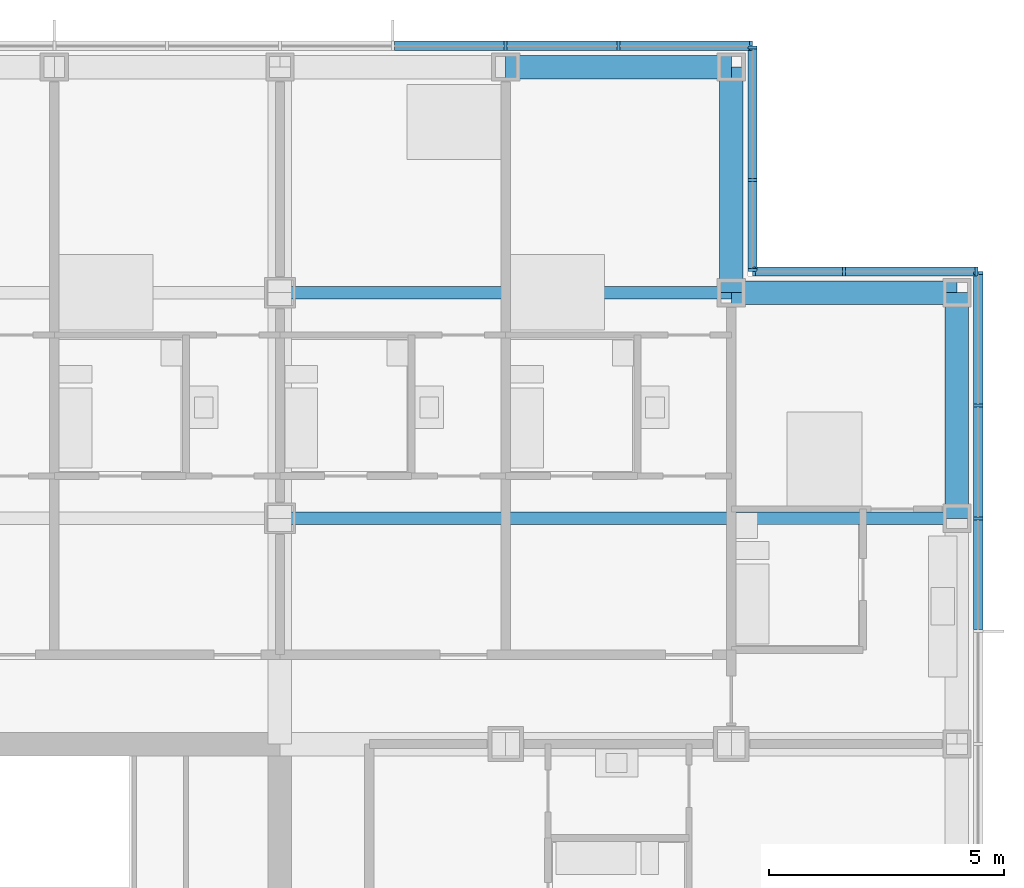
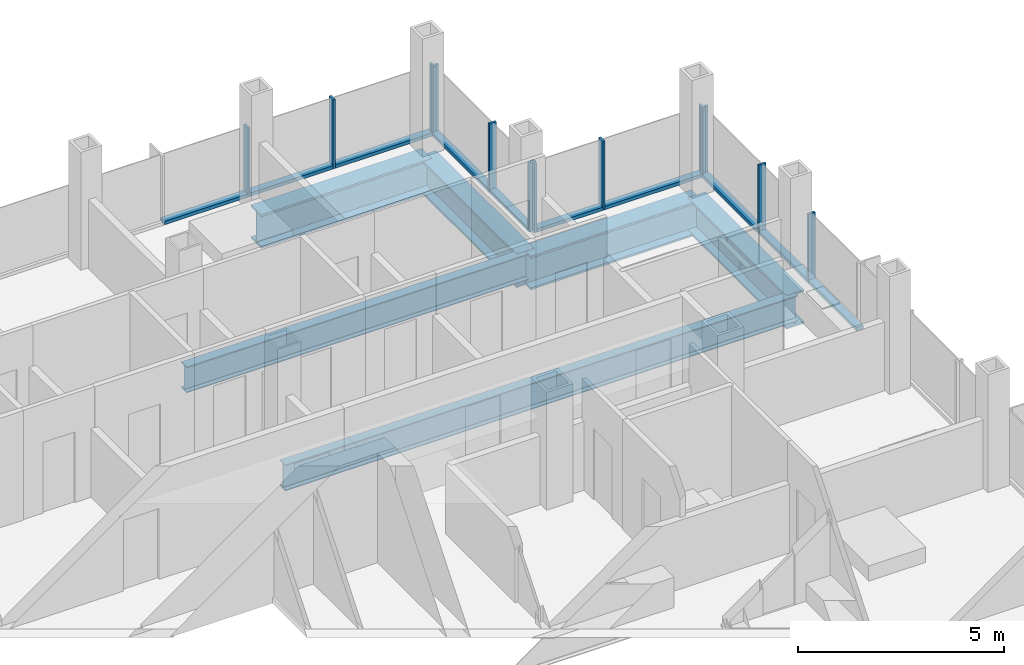
# One storey, part 11 of 22: 22 members, 6 beams, 4 elements without a shape of their own.
"""IFC4 building model written with IfcOpenShell, lengths in metres."""

import ifcopenshell
import ifcopenshell.guid

model = None  # the IFC model being written
_history = None  # IfcOwnerHistory: only IFC2X3 demands one
_inside = {}  # id of a spatial element -> (the spatial element, [elements in it])
_under = {}  # id of a project, library or spatial element -> (it, [spatial elements below it])
_declared = {}  # id of a project -> (the project, [libraries it declares])
_typed = {}  # id of a type object -> (the type object, [elements of that type])
_made_of = {}  # id of a material, layer set ... -> (it, [elements and type objects made of it])


def new_model(schema):
    """Start an empty IFC model of exactly this schema.

    Asked for "IFC4X3", IfcOpenShell would pick the latest addendum, in which some entities
    have other attributes; the version numbers below select the first issue.
    IFC2X3 requires an IfcOwnerHistory on every rooted entity: one is made here for all.
    """
    global model, _history
    if schema == "IFC4X3":
        model = ifcopenshell.file(schema_version=(4, 3, 0, 0))
    else:
        model = ifcopenshell.file(schema=schema)
    _inside.clear()
    _under.clear()
    _declared.clear()
    _typed.clear()
    _made_of.clear()
    _history = None
    if model.schema == "IFC2X3":
        org = make("IfcOrganization", Name="unknown")
        user = make(
            "IfcPersonAndOrganization",
            ThePerson=make("IfcPerson", FamilyName="unknown"),
            TheOrganization=org,
        )
        app = make(
            "IfcApplication",
            ApplicationDeveloper=org,
            Version="unknown",
            ApplicationFullName="unknown",
            ApplicationIdentifier="unknown",
        )
        _history = make(
            "IfcOwnerHistory",
            OwningUser=user,
            OwningApplication=app,
            ChangeAction="ADDED",
            CreationDate=0,
        )
    return model


def make(cls, **values):
    """One entity of the class cls with the attributes given. An attribute that is None is left unset."""
    return model.create_entity(
        cls, **{name: value for name, value in values.items() if value is not None}
    )


def rooted(cls, **values):
    """An entity with a GlobalId (a new one), such as an element, a storey or a relation."""
    return make(cls, GlobalId=ifcopenshell.guid.new(), OwnerHistory=_history, **values)


def si_unit(unit_type, name, prefix=None):
    """IfcSIUnit, for example si_unit("LENGTHUNIT", "METRE", prefix="MILLI")."""
    return make("IfcSIUnit", UnitType=unit_type, Prefix=prefix, Name=name)


def assignment(units):
    """IfcUnitAssignment: the units of a project."""
    return None if units is None else make("IfcUnitAssignment", Units=units)


def point(xyz):
    """IfcCartesianPoint."""
    return None if xyz is None else make("IfcCartesianPoint", Coordinates=xyz)


def direction(xyz):
    """IfcDirection."""
    return None if xyz is None else make("IfcDirection", DirectionRatios=xyz)


def frame(location, z_axis=None, x_axis=None):
    """IfcAxis2Placement3D, a coordinate frame: its origin and axes. An axis left out is left unset."""
    return make(
        "IfcAxis2Placement3D",
        Location=point(location),
        Axis=direction(z_axis),
        RefDirection=direction(x_axis),
    )


def frame_2d(location, x_axis=None):
    """IfcAxis2Placement2D, a coordinate frame in the plane: its origin and x axis."""
    return make(
        "IfcAxis2Placement2D", Location=point(location), RefDirection=direction(x_axis)
    )


def origin():
    """The frame at (0, 0, 0) with its axes left unset."""
    return frame((0.0, 0.0, 0.0))


def origin_2d():
    """The frame at (0, 0) in the plane with its x axis left unset."""
    return frame_2d((0.0, 0.0))


def place(relative_to, where):
    """IfcLocalPlacement: puts the frame where relative to a parent placement (None: the world)."""
    return make(
        "IfcLocalPlacement", PlacementRelTo=relative_to, RelativePlacement=where
    )


def context(
    kind, dimensions, precision=None, world=None, true_north=None, identifier=None
):
    """IfcGeometricRepresentationContext, for example the 3D "Model" context."""
    return make(
        "IfcGeometricRepresentationContext",
        ContextIdentifier=identifier,
        ContextType=kind,
        CoordinateSpaceDimension=dimensions,
        Precision=precision,
        WorldCoordinateSystem=world,
        TrueNorth=true_north,
    )


def subcontext(parent, identifier, kind, view, scale=None):
    """IfcGeometricRepresentationSubContext, for example "Body" below "Model"."""
    return make(
        "IfcGeometricRepresentationSubContext",
        ContextIdentifier=identifier,
        ContextType=kind,
        ParentContext=parent,
        TargetScale=scale,
        TargetView=view,
    )


def project(units=None, contexts=None):
    """IfcProject with its units and contexts."""
    return rooted(
        "IfcProject",
        Name="project",
        RepresentationContexts=contexts,
        UnitsInContext=assignment(units),
    )


def spatial(cls, under=None, at=None, **own):
    """A site, building, storey or space (cls), placed at a placement, below another one or the project."""
    s = rooted(cls, ObjectPlacement=at, **own)
    if under is not None:
        _under.setdefault(under.id(), (under, []))[1].append(s)
    return s


def profile(cls, at=None, kind="AREA", **sizes):
    """A parametric profile (cls). Its sizes go by their IFC names, for example OverallWidth=200.0."""
    return make(cls, ProfileType=kind, Position=at, **sizes)


def rectangle(**sizes):
    """IfcRectangleProfileDef."""
    return profile("IfcRectangleProfileDef", **sizes)


def i_section(**sizes):
    """IfcIShapeProfileDef."""
    return profile("IfcIShapeProfileDef", **sizes)


def extrude(swept, where, along, depth):
    """IfcExtrudedAreaSolid: the profile swept, set in the frame where, extruded along a direction by depth."""
    return make(
        "IfcExtrudedAreaSolid",
        SweptArea=swept,
        Position=where,
        ExtrudedDirection=direction(along),
        Depth=depth,
    )


def shape(context_of_items, identifier, shape_type, items):
    """IfcShapeRepresentation: the items that make up one representation, for example the "Body"."""
    return make(
        "IfcShapeRepresentation",
        ContextOfItems=context_of_items,
        RepresentationIdentifier=identifier,
        RepresentationType=shape_type,
        Items=items,
    )


def material(Name=None, Category=None):
    """IfcMaterial."""
    return make("IfcMaterial", Name=Name, Category=Category)


def material_profile(
    of_material, cross_section, Name=None, Category=None, Priority=None
):
    """IfcMaterialProfile: a cross section and its material."""
    return make(
        "IfcMaterialProfile",
        Name=Name,
        Material=of_material,
        Profile=cross_section,
        Priority=Priority,
        Category=Category,
    )


def profile_set(profiles, Name=None, composite=None):
    """IfcMaterialProfileSet."""
    return make(
        "IfcMaterialProfileSet",
        Name=Name,
        MaterialProfiles=profiles,
        CompositeProfile=composite,
    )


def made_of(thing, what):
    """Note that an element or type object is made of a material, layer set ...; save() writes the relation."""
    if what is not None:
        _made_of.setdefault(what.id(), (what, []))[1].append(thing)
    return thing


def type_object(cls, material=None, **own):
    """A type object (cls), such as IfcWallType, which elements share."""
    return made_of(rooted(cls, **own), material)


def element(
    cls,
    number,
    at=None,
    inside=None,
    cuts=None,
    type_object=None,
    material=None,
    context=None,
    identifier="Body",
    shape_type=None,
    held_by="IfcProductDefinitionShape",
    body=None,
    shapes=None,
    **own,
):
    """One element of the class cls, such as IfcWall. Its Tag is "e" and its number.

    at: its placement. inside: the storey or other place that contains it. cuts: it is an
    opening in that element (IfcRelVoidsElement). A single representation is given by context,
    identifier, shape_type and body (its items); several are given by shapes. held_by: the class
    of the entity that holds the representations. save() writes the other relations.
    """
    e = rooted(cls, Tag="e%d" % number, ObjectPlacement=at, **own)
    if body is not None:
        shapes = [shape(context, identifier, shape_type, body)]
    if shapes is not None:
        e.Representation = make(held_by, Representations=shapes)
    if inside is not None:
        _inside.setdefault(inside.id(), (inside, []))[1].append(e)
    if cuts is not None:
        rooted(
            "IfcRelVoidsElement", RelatingBuildingElement=cuts, RelatedOpeningElement=e
        )
    if type_object is not None:
        _typed.setdefault(type_object.id(), (type_object, []))[1].append(e)
    return made_of(e, material)


def aggregate(whole, parts):
    """IfcRelAggregates: a whole, such as a stair, and the parts it consists of."""
    return rooted("IfcRelAggregates", RelatingObject=whole, RelatedObjects=parts)


def save(model, path):
    """Write the relations noted so far, then the file.

    IfcRelAggregates (storeys below a building ...), IfcRelContainedInSpatialStructure (elements
    in a storey), IfcRelDefinesByType, IfcRelAssociatesMaterial and IfcRelDeclares: one each for
    every whole, place, type object, material and project.
    """
    for whole, parts in _under.values():
        aggregate(whole, parts)
    for where, things in _inside.values():
        rooted(
            "IfcRelContainedInSpatialStructure",
            RelatedElements=things,
            RelatingStructure=where,
        )
    for kind, things in _typed.values():
        rooted("IfcRelDefinesByType", RelatedObjects=things, RelatingType=kind)
    for what, things in _made_of.values():
        rooted("IfcRelAssociatesMaterial", RelatedObjects=things, RelatingMaterial=what)
    for by, libraries in _declared.values():
        rooted("IfcRelDeclares", RelatingContext=by, RelatedDefinitions=libraries)
    model.write(path)


model = new_model("IFC4")

# Units and contexts
model_context = context("Model", 3, precision=1e-05, world=origin(), true_north=direction((0.0, 1.0)))
body_context = subcontext(model_context, "Body", "Model", "MODEL_VIEW")
ifc_project = project(units=[si_unit("LENGTHUNIT", "METRE"), si_unit("AREAUNIT", "SQUARE_METRE"), si_unit("VOLUMEUNIT", "CUBIC_METRE"), si_unit("PLANEANGLEUNIT", "RADIAN"), si_unit("MASSUNIT", "GRAM", prefix="KILO")], contexts=[model_context])

# Site, building, storey
site_placement = place(None, origin())
site = spatial("IfcSite", under=ifc_project, at=site_placement, CompositionType="ELEMENT")
building_placement = place(site_placement, origin())
building = spatial("IfcBuilding", under=site, at=building_placement, Name="Kvirike Care Tower", CompositionType="ELEMENT")
storey_placement = place(building_placement, frame((0.0, 0.0, 76.0)))
storey = spatial("IfcBuildingStorey", under=building, at=storey_placement, Name="L20", CompositionType="ELEMENT", Elevation=76.0)

# Curtain wall, members
ifc_material_1 = material(Name="Anodised aluminium stick system", Category="aluminium")
curtain_wall_type = type_object("IfcCurtainWallType", Name="CW-A STICK CURTAIN WALL", PredefinedType="NOTDEFINED", material=ifc_material_1)
curtain_wall_1_placement = place(storey_placement, origin())
curtain_wall_1 = element("IfcCurtainWall", 1, at=curtain_wall_1_placement, inside=storey, type_object=curtain_wall_type, Name="Curtain wall L20 face 7", PredefinedType="NOTDEFINED")
ifc_material_2 = material(Name="Bronze anodised aluminium mullion", Category="aluminium")
ifc_material_profile_1 = material_profile(ifc_material_2, rectangle(XDim=0.06494140625, YDim=0.199951171875, at=origin_2d()), Name="CW-A MULLION 65x200")
ifc_profile_set_1 = profile_set([ifc_material_profile_1], Name="Bronze anodised aluminium mullion")
member_type_1 = type_object("IfcMemberType", Name="CW-A MULLION 65x200", PredefinedType="MULLION", material=ifc_profile_set_1)
member_1_placement = place(storey_placement, frame((43.64990234375, 48.0, 0.0), z_axis=(0.0, 0.0, 1.0), x_axis=(0.0, 1.0, 0.0)))
member_1 = element("IfcMember", 2, at=member_1_placement, type_object=member_type_1, Name="CW-A mullion L20 face 7.13", PredefinedType="MULLION", context=body_context, shape_type="SweptSolid", body=[
    extrude(rectangle(XDim=0.06494140625, YDim=0.199951171875, at=origin_2d()), origin(), (0.0, 0.0, 1.0), 2.050048828125),
])
member_2_placement = place(storey_placement, frame((43.64990234375, 50.39990234375, 0.0), z_axis=(0.0, 0.0, 1.0), x_axis=(0.0, 1.0, 0.0)))
member_2 = element("IfcMember", 3, at=member_2_placement, type_object=member_type_1, Name="CW-A mullion L20 face 7.14", PredefinedType="MULLION", context=body_context, shape_type="SweptSolid", body=[
    extrude(rectangle(XDim=0.06494140625, YDim=0.199951171875, at=origin_2d()), origin(), (0.0, 0.0, 1.0), 2.050048828125),
])
member_3_placement = place(storey_placement, frame((43.64990234375, 53.217529296875, 0.0), z_axis=(0.0, 0.0, 1.0), x_axis=(0.0, 1.0, 0.0)))
member_3 = element("IfcMember", 4, at=member_3_placement, type_object=member_type_1, Name="CW-A mullion L20 face 7.15", PredefinedType="MULLION", context=body_context, shape_type="SweptSolid", body=[
    extrude(rectangle(XDim=0.06494140625, YDim=0.199951171875, at=origin_2d()), origin(), (0.0, 0.0, 1.0), 2.050048828125),
])

curtain_wall_2_placement = place(storey_placement, origin())
curtain_wall_2 = element("IfcCurtainWall", 5, at=curtain_wall_2_placement, inside=storey, type_object=curtain_wall_type, Name="Curtain wall L20 face 8", PredefinedType="NOTDEFINED")
member_4_placement = place(storey_placement, frame((43.617431640625, 53.25, 0.0), z_axis=(0.0, 0.0, 1.0), x_axis=(-1.0, 0.0, 0.0)))
member_4 = element("IfcMember", 6, at=member_4_placement, type_object=member_type_1, Name="CW-A mullion L20 face 8.1", PredefinedType="MULLION", context=body_context, shape_type="SweptSolid", body=[
    extrude(rectangle(XDim=0.06494140625, YDim=0.199951171875, at=origin_2d()), origin(), (0.0, 0.0, 1.0), 2.050048828125),
])
member_5_placement = place(storey_placement, frame((40.800048828125, 53.25, 0.0), z_axis=(0.0, 0.0, 1.0), x_axis=(-1.0, 0.0, 0.0)))
member_5 = element("IfcMember", 7, at=member_5_placement, type_object=member_type_1, Name="CW-A mullion L20 face 8.2", PredefinedType="MULLION", context=body_context, shape_type="SweptSolid", body=[
    extrude(rectangle(XDim=0.06494140625, YDim=0.199951171875, at=origin_2d()), origin(), (0.0, 0.0, 1.0), 2.050048828125),
])
member_6_placement = place(storey_placement, frame((38.882568359375, 53.25, 0.0), z_axis=(0.0, 0.0, 1.0), x_axis=(-1.0, 0.0, 0.0)))
member_6 = element("IfcMember", 8, at=member_6_placement, type_object=member_type_1, Name="CW-A mullion L20 face 8.3", PredefinedType="MULLION", context=body_context, shape_type="SweptSolid", body=[
    extrude(rectangle(XDim=0.06494140625, YDim=0.199951171875, at=origin_2d()), origin(), (0.0, 0.0, 1.0), 2.050048828125),
])

curtain_wall_3_placement = place(storey_placement, origin())
curtain_wall_3 = element("IfcCurtainWall", 9, at=curtain_wall_3_placement, inside=storey, type_object=curtain_wall_type, Name="Curtain wall L20 face 9", PredefinedType="NOTDEFINED")
member_7_placement = place(storey_placement, frame((38.85009765625, 53.282470703125, 0.0), z_axis=(0.0, 0.0, 1.0), x_axis=(0.0, 1.0, 0.0)))
member_7 = element("IfcMember", 10, at=member_7_placement, type_object=member_type_1, Name="CW-A mullion L20 face 9.1", PredefinedType="MULLION", context=body_context, shape_type="SweptSolid", body=[
    extrude(rectangle(XDim=0.06494140625, YDim=0.199951171875, at=origin_2d()), origin(), (0.0, 0.0, 1.0), 2.050048828125),
])
member_8_placement = place(storey_placement, frame((38.85009765625, 55.199951171875, 0.0), z_axis=(0.0, 0.0, 1.0), x_axis=(0.0, 1.0, 0.0)))
member_8 = element("IfcMember", 11, at=member_8_placement, type_object=member_type_1, Name="CW-A mullion L20 face 9.2", PredefinedType="MULLION", context=body_context, shape_type="SweptSolid", body=[
    extrude(rectangle(XDim=0.06494140625, YDim=0.199951171875, at=origin_2d()), origin(), (0.0, 0.0, 1.0), 2.050048828125),
])
member_9_placement = place(storey_placement, frame((38.85009765625, 58.017578125, 0.0), z_axis=(0.0, 0.0, 1.0), x_axis=(0.0, 1.0, 0.0)))
member_9 = element("IfcMember", 12, at=member_9_placement, type_object=member_type_1, Name="CW-A mullion L20 face 9.3", PredefinedType="MULLION", context=body_context, shape_type="SweptSolid", body=[
    extrude(rectangle(XDim=0.06494140625, YDim=0.199951171875, at=origin_2d()), origin(), (0.0, 0.0, 1.0), 2.050048828125),
])

curtain_wall_4_placement = place(storey_placement, origin())
curtain_wall_4 = element("IfcCurtainWall", 13, at=curtain_wall_4_placement, inside=storey, type_object=curtain_wall_type, Name="Curtain wall L20 face 10", PredefinedType="NOTDEFINED")
member_10_placement = place(storey_placement, frame((38.8173828125, 58.050048828125, 0.0), z_axis=(0.0, 0.0, 1.0), x_axis=(-1.0, 0.0, 0.0)))
member_10 = element("IfcMember", 14, at=member_10_placement, type_object=member_type_1, Name="CW-A mullion L20 face 10.1", PredefinedType="MULLION", context=body_context, shape_type="SweptSolid", body=[
    extrude(rectangle(XDim=0.06494140625, YDim=0.199951171875, at=origin_2d()), origin(), (0.0, 0.0, 1.0), 2.050048828125),
])
member_11_placement = place(storey_placement, frame((36.0, 58.050048828125, 0.0), z_axis=(0.0, 0.0, 1.0), x_axis=(-1.0, 0.0, 0.0)))
member_11 = element("IfcMember", 15, at=member_11_placement, type_object=member_type_1, Name="CW-A mullion L20 face 10.2", PredefinedType="MULLION", context=body_context, shape_type="SweptSolid", body=[
    extrude(rectangle(XDim=0.06494140625, YDim=0.199951171875, at=origin_2d()), origin(), (0.0, 0.0, 1.0), 2.050048828125),
])
member_12_placement = place(storey_placement, frame((33.60009765625, 58.050048828125, 0.0), z_axis=(0.0, 0.0, 1.0), x_axis=(-1.0, 0.0, 0.0)))
member_12 = element("IfcMember", 16, at=member_12_placement, type_object=member_type_1, Name="CW-A mullion L20 face 10.3", PredefinedType="MULLION", context=body_context, shape_type="SweptSolid", body=[
    extrude(rectangle(XDim=0.06494140625, YDim=0.199951171875, at=origin_2d()), origin(), (0.0, 0.0, 1.0), 2.050048828125),
])

# Member
ifc_material_3 = material(Name="Bronze anodised aluminium transom", Category="aluminium")
ifc_material_profile_2 = material_profile(ifc_material_3, rectangle(XDim=0.199951171875, YDim=0.10009765625, at=origin_2d()), Name="CW-A TRANSOM 200x100")
ifc_profile_set_2 = profile_set([ifc_material_profile_2], Name="Bronze anodised aluminium transom")
member_type_2 = type_object("IfcMemberType", Name="CW-A TRANSOM 200x100", PredefinedType="USERDEFINED", material=ifc_profile_set_2)
member_13_placement = place(storey_placement, frame((43.64990234375, 45.632568359375, 0.050048828125), z_axis=(0.0, 1.0, 0.0), x_axis=(-1.0, 0.0, 0.0)))
member_13 = element("IfcMember", 17, at=member_13_placement, type_object=member_type_2, Name="CW-A sill transom L20 face 7.12", ObjectType="TRANSOM", PredefinedType="USERDEFINED", context=body_context, shape_type="SweptSolid", body=[
    extrude(rectangle(XDim=0.199951171875, YDim=0.10009765625, at=origin_2d()), origin(), (0.0, 0.0, 1.0), 2.3349609375),
])

member_14_placement = place(storey_placement, frame((43.64990234375, 48.032470703125, 0.050048828125), z_axis=(0.0, 1.0, 0.0), x_axis=(-1.0, 0.0, 0.0)))
member_14 = element("IfcMember", 18, at=member_14_placement, type_object=member_type_2, Name="CW-A sill transom L20 face 7.13", ObjectType="TRANSOM", PredefinedType="USERDEFINED", context=body_context, shape_type="SweptSolid", body=[
    extrude(rectangle(XDim=0.199951171875, YDim=0.10009765625, at=origin_2d()), origin(), (0.0, 0.0, 1.0), 2.3349609375),
])

member_15_placement = place(storey_placement, frame((43.64990234375, 50.4326171875, 0.050048828125), z_axis=(0.0, 1.0, 0.0), x_axis=(-1.0, 0.0, 0.0)))
member_15 = element("IfcMember", 19, at=member_15_placement, type_object=member_type_2, Name="CW-A sill transom L20 face 7.14", ObjectType="TRANSOM", PredefinedType="USERDEFINED", context=body_context, shape_type="SweptSolid", body=[
    extrude(rectangle(XDim=0.199951171875, YDim=0.10009765625, at=origin_2d()), origin(), (0.0, 0.0, 1.0), 2.75244140625),
])

aggregate(curtain_wall_1, [member_1, member_2, member_3, member_13, member_14, member_15])

member_16_placement = place(storey_placement, frame((43.5849609375, 53.25, 0.050048828125), z_axis=(-1.0, 0.0, 0.0), x_axis=(0.0, -1.0, 0.0)))
member_16 = element("IfcMember", 20, at=member_16_placement, type_object=member_type_2, Name="CW-A sill transom L20 face 8.1", ObjectType="TRANSOM", PredefinedType="USERDEFINED", context=body_context, shape_type="SweptSolid", body=[
    extrude(rectangle(XDim=0.199951171875, YDim=0.10009765625, at=origin_2d()), origin(), (0.0, 0.0, 1.0), 2.75244140625),
])

member_17_placement = place(storey_placement, frame((40.767578125, 53.25, 0.050048828125), z_axis=(-1.0, 0.0, 0.0), x_axis=(0.0, -1.0, 0.0)))
member_17 = element("IfcMember", 21, at=member_17_placement, type_object=member_type_2, Name="CW-A sill transom L20 face 8.2", ObjectType="TRANSOM", PredefinedType="USERDEFINED", context=body_context, shape_type="SweptSolid", body=[
    extrude(rectangle(XDim=0.199951171875, YDim=0.10009765625, at=origin_2d()), origin(), (0.0, 0.0, 1.0), 1.8525390625),
])

aggregate(curtain_wall_2, [member_4, member_5, member_6, member_16, member_17])

member_18_placement = place(storey_placement, frame((38.85009765625, 53.31494140625, 0.050048828125), z_axis=(0.0, 1.0, 0.0), x_axis=(-1.0, 0.0, 0.0)))
member_18 = element("IfcMember", 22, at=member_18_placement, type_object=member_type_2, Name="CW-A sill transom L20 face 9.1", ObjectType="TRANSOM", PredefinedType="USERDEFINED", context=body_context, shape_type="SweptSolid", body=[
    extrude(rectangle(XDim=0.199951171875, YDim=0.10009765625, at=origin_2d()), origin(), (0.0, 0.0, 1.0), 1.8525390625),
])

member_19_placement = place(storey_placement, frame((38.85009765625, 55.232421875, 0.050048828125), z_axis=(0.0, 1.0, 0.0), x_axis=(-1.0, 0.0, 0.0)))
member_19 = element("IfcMember", 23, at=member_19_placement, type_object=member_type_2, Name="CW-A sill transom L20 face 9.2", ObjectType="TRANSOM", PredefinedType="USERDEFINED", context=body_context, shape_type="SweptSolid", body=[
    extrude(rectangle(XDim=0.199951171875, YDim=0.10009765625, at=origin_2d()), origin(), (0.0, 0.0, 1.0), 2.752685546875),
])

aggregate(curtain_wall_3, [member_7, member_8, member_9, member_18, member_19])

member_20_placement = place(storey_placement, frame((38.784912109375, 58.050048828125, 0.050048828125), z_axis=(-1.0, 0.0, 0.0), x_axis=(0.0, -1.0, 0.0)))
member_20 = element("IfcMember", 24, at=member_20_placement, type_object=member_type_2, Name="CW-A sill transom L20 face 10.1", ObjectType="TRANSOM", PredefinedType="USERDEFINED", context=body_context, shape_type="SweptSolid", body=[
    extrude(rectangle(XDim=0.199951171875, YDim=0.10009765625, at=origin_2d()), origin(), (0.0, 0.0, 1.0), 2.75244140625),
])

member_21_placement = place(storey_placement, frame((35.967529296875, 58.050048828125, 0.050048828125), z_axis=(-1.0, 0.0, 0.0), x_axis=(0.0, -1.0, 0.0)))
member_21 = element("IfcMember", 25, at=member_21_placement, type_object=member_type_2, Name="CW-A sill transom L20 face 10.2", ObjectType="TRANSOM", PredefinedType="USERDEFINED", context=body_context, shape_type="SweptSolid", body=[
    extrude(rectangle(XDim=0.199951171875, YDim=0.10009765625, at=origin_2d()), origin(), (0.0, 0.0, 1.0), 2.3349609375),
])

member_22_placement = place(storey_placement, frame((33.5673828125, 58.050048828125, 0.050048828125), z_axis=(-1.0, 0.0, 0.0), x_axis=(0.0, -1.0, 0.0)))
member_22 = element("IfcMember", 26, at=member_22_placement, type_object=member_type_2, Name="CW-A sill transom L20 face 10.3", ObjectType="TRANSOM", PredefinedType="USERDEFINED", context=body_context, shape_type="SweptSolid", body=[
    extrude(rectangle(XDim=0.199951171875, YDim=0.10009765625, at=origin_2d()), origin(), (0.0, 0.0, 1.0), 2.3349609375),
])

aggregate(curtain_wall_4, [member_10, member_11, member_12, member_20, member_21, member_22])

# Beams
ifc_material_4 = material(Name="Steel S355", Category="steel")
ifc_material_profile_3 = material_profile(ifc_material_4, i_section(OverallWidth=0.26806640625, OverallDepth=0.77001953125, WebThickness=0.015625, FlangeThickness=0.025390625, FilletRadius=0.01708984375, at=origin_2d()), Name="IPE 750x196")
ifc_profile_set_3 = profile_set([ifc_material_profile_3], Name="Steel S355")
beam_type_1 = type_object("IfcBeamType", Name="FLOOR BEAM IPE 750x196", PredefinedType="BEAM", material=ifc_profile_set_3)
beam_1_placement = place(storey_placement, frame((28.800048828125, 48.0, -0.554931640625), z_axis=(1.0, 0.0, 0.0), x_axis=(0.0, 1.0, 0.0)))
element("IfcBeam", 27, at=beam_1_placement, inside=storey, type_object=beam_type_1, Name="Floor Beam L9-L12 L20", PredefinedType="BEAM", context=body_context, shape_type="SweptSolid", body=[
    extrude(i_section(OverallWidth=0.26806640625, OverallDepth=0.77001953125, WebThickness=0.015625, FlangeThickness=0.025390625, FilletRadius=0.01708984375, at=origin_2d()), origin(), (0.0, 0.0, 1.0), 14.39990234375),
])
beam_2_placement = place(storey_placement, frame((28.800048828125, 52.800048828125, -0.554931640625), z_axis=(1.0, 0.0, 0.0), x_axis=(0.0, 1.0, 0.0)))
element("IfcBeam", 28, at=beam_2_placement, inside=storey, type_object=beam_type_1, Name="Floor Beam M9-M11 L20", PredefinedType="BEAM", context=body_context, shape_type="SweptSolid", body=[
    extrude(i_section(OverallWidth=0.26806640625, OverallDepth=0.77001953125, WebThickness=0.015625, FlangeThickness=0.025390625, FilletRadius=0.01708984375, at=origin_2d()), origin(), (0.0, 0.0, 1.0), 9.599853515625),
])
ifc_material_5 = material(Name="Steel S355", Category="steel")
ifc_material_profile_4 = material_profile(ifc_material_5, i_section(OverallWidth=0.5, OverallDepth=1.0, WebThickness=0.030029296875, FlangeThickness=0.06005859375, at=origin_2d()), Name="PG 1000x500x30x60")
ifc_profile_set_4 = profile_set([ifc_material_profile_4], Name="Steel S355")
beam_type_2 = type_object("IfcBeamType", Name="SPANDREL PG 1000x500x30x60", PredefinedType="SPANDREL", material=ifc_profile_set_4)
beam_3_placement = place(storey_placement, frame((38.39990234375, 52.800048828125, -0.669921875), z_axis=(1.0, 0.0, 0.0), x_axis=(0.0, 1.0, 0.0)))
element("IfcBeam", 29, at=beam_3_placement, inside=storey, type_object=beam_type_2, Name="Spandrel M11-M12 L20", PredefinedType="SPANDREL", context=body_context, shape_type="SweptSolid", body=[
    extrude(i_section(OverallWidth=0.5, OverallDepth=1.0, WebThickness=0.030029296875, FlangeThickness=0.06005859375, at=origin_2d()), origin(), (0.0, 0.0, 1.0), 4.800048828125),
])
beam_4_placement = place(storey_placement, frame((33.60009765625, 57.60009765625, -0.669921875), z_axis=(1.0, 0.0, 0.0), x_axis=(0.0, 1.0, 0.0)))
element("IfcBeam", 30, at=beam_4_placement, inside=storey, type_object=beam_type_2, Name="Spandrel N10-N11 L20", PredefinedType="SPANDREL", context=body_context, shape_type="SweptSolid", body=[
    extrude(i_section(OverallWidth=0.5, OverallDepth=1.0, WebThickness=0.030029296875, FlangeThickness=0.06005859375, at=origin_2d()), origin(), (0.0, 0.0, 1.0), 4.7998046875),
])
for number, where, z_axis, x_axis, name in (
    (31, (38.39990234375, 52.800048828125, -0.669921875), (0.0, 1.0, 0.0), (-1.0, 0.0, 0.0), "Spandrel M11-N11 L20"),
    (32, (43.199951171875, 48.0, -0.669921875), (0.0, 1.0, 0.0), (-1.0, 0.0, 0.0), "Spandrel L12-M12 L20"),
):
    element("IfcBeam", number, at=place(storey_placement, frame(where, z_axis=z_axis, x_axis=x_axis)), inside=storey, type_object=beam_type_2, Name=name, PredefinedType="SPANDREL", context=body_context, shape_type="SweptSolid", body=[
        extrude(i_section(OverallWidth=0.5, OverallDepth=1.0, WebThickness=0.030029296875, FlangeThickness=0.06005859375, at=origin_2d()), origin(), (0.0, 0.0, 1.0), 4.800048828125),
    ])

save(model, "model.ifc")
